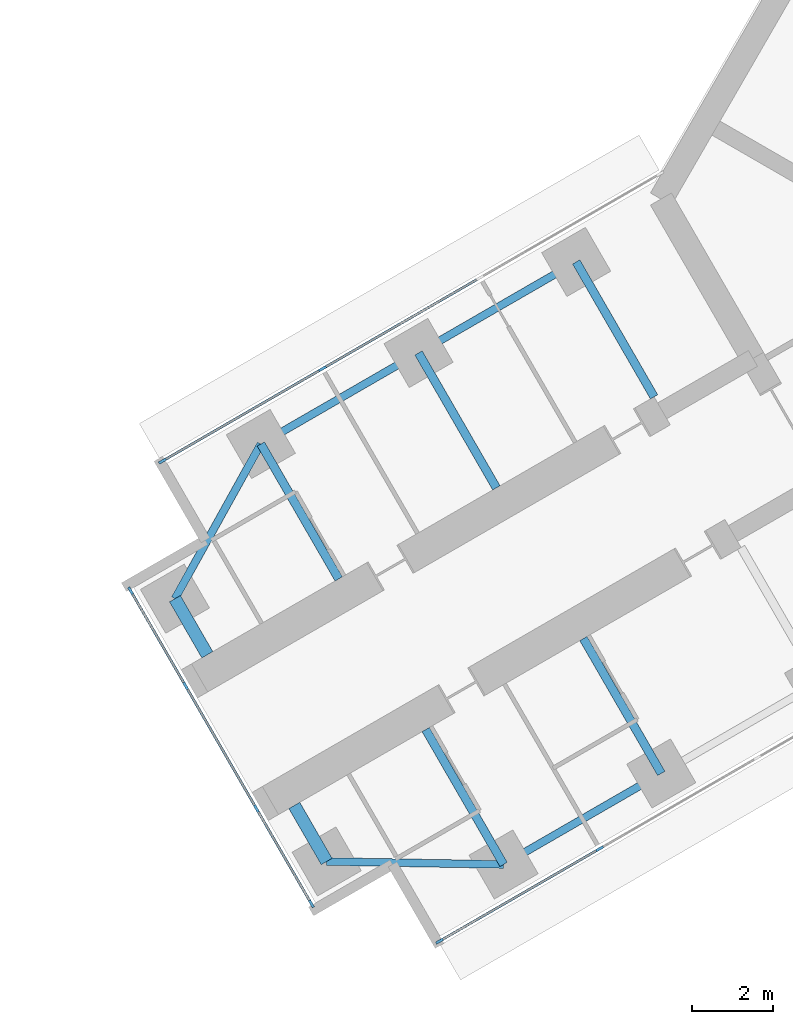
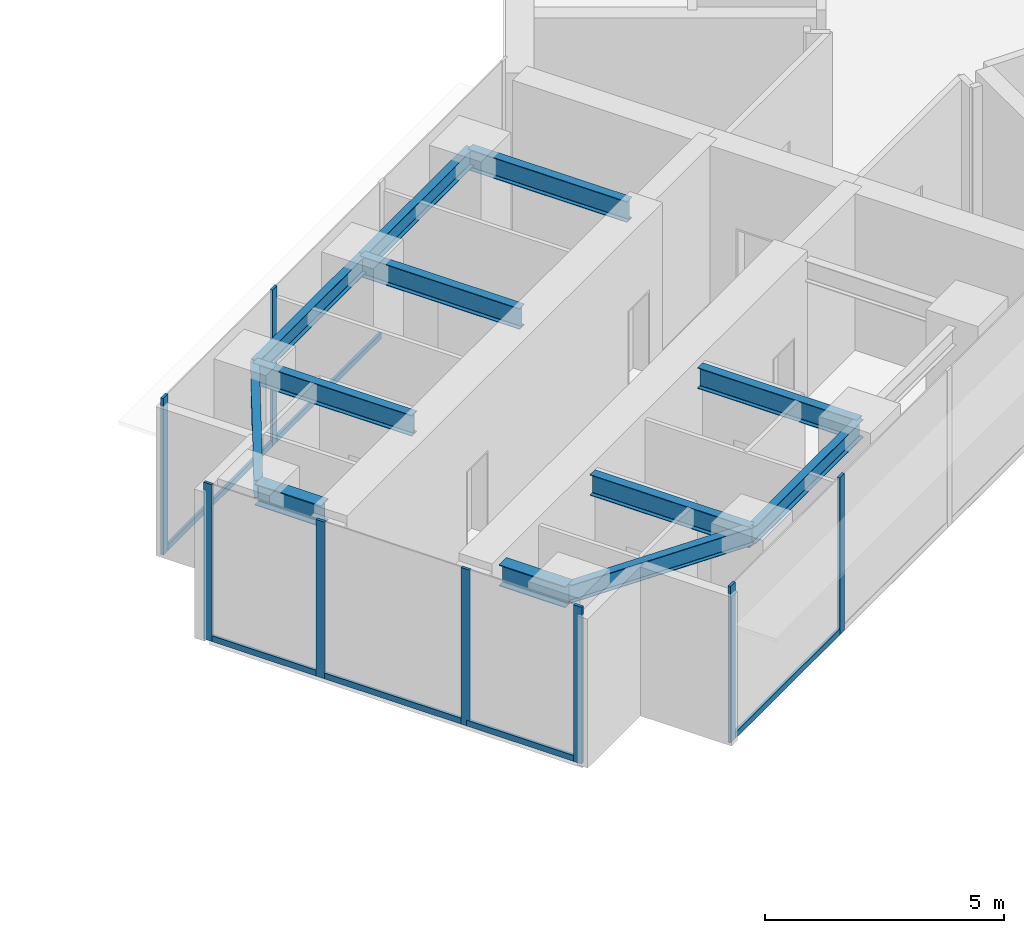
# One storey, part 3 of 23: 14 members, 12 beams, 3 elements without a shape of their own.
"""IFC4 building model written with IfcOpenShell, lengths in metres."""

from ifc_helpers import new_model, si_unit, direction, frame, origin, origin_2d, place, context, subcontext, project, spatial, rectangle, i_section, extrude, material, material_profile, profile_set, type_object, element, aggregate, save


model = new_model("IFC4")

# Units and contexts
model_context = context("Model", 3, precision=1e-05, world=origin(), true_north=direction((0.0, 1.0)))
body_context = subcontext(model_context, "Body", "Model", "MODEL_VIEW")
ifc_project = project(units=[si_unit("LENGTHUNIT", "METRE"), si_unit("AREAUNIT", "SQUARE_METRE"), si_unit("VOLUMEUNIT", "CUBIC_METRE"), si_unit("PLANEANGLEUNIT", "RADIAN"), si_unit("MASSUNIT", "GRAM", prefix="KILO")], contexts=[model_context])

# Site, building, storey
site_placement = place(None, origin())
site = spatial("IfcSite", under=ifc_project, at=site_placement, CompositionType="ELEMENT")
building_placement = place(site_placement, origin())
building = spatial("IfcBuilding", under=site, at=building_placement, Name="Upepo Twin Towers", CompositionType="ELEMENT")
storey_placement = place(building_placement, frame((0.0, 0.0, 149.5)))
storey = spatial("IfcBuildingStorey", under=building, at=storey_placement, Name="L36", CompositionType="ELEMENT", Elevation=149.5)

# Beams
ifc_material_1 = material(Name="Steel S355", Category="steel")
ifc_material_profile_1 = material_profile(ifc_material_1, i_section(OverallWidth=0.1904296875, OverallDepth=0.45703125, WebThickness=0.009033203125, FlangeThickness=0.014404296875, FilletRadius=0.01025390625, at=origin_2d()), Name="UB 457x191x74")
ifc_profile_set_1 = profile_set([ifc_material_profile_1], Name="Steel S355")
beam_type_1 = type_object("IfcBeamType", Name="Beam UB 457x191x74", PredefinedType="BEAM", material=ifc_profile_set_1)
beam_1_placement = place(storey_placement, frame((45.91162109375, -32.196044921875, 3.571533203125), z_axis=(-0.866031096941, -0.499990139034, 0.0), x_axis=(0.499990139034, -0.866031096941, 0.0)))
element("IfcBeam", 1, at=beam_1_placement, inside=storey, type_object=beam_type_1, Name="T2 edge beam BL 18.0-22.5", PredefinedType="BEAM", context=body_context, shape_type="SweptSolid", body=[
    extrude(i_section(OverallWidth=0.1904296875, OverallDepth=0.45703125, WebThickness=0.009033203125, FlangeThickness=0.014404296875, FilletRadius=0.01025390625, at=origin_2d()), origin(), (0.0, 0.0, 1.0), 4.5),
])
beam_2_placement = place(storey_placement, frame((42.014404296875, -34.446044921875, 3.571533203125), z_axis=(-0.999858804832, 0.016803880528, 0.0), x_axis=(-0.016803880528, -0.999858804832, 0.0)))
element("IfcBeam", 2, at=beam_2_placement, inside=storey, type_object=beam_type_1, Name="T2 nose edge beam BL", PredefinedType="BEAM", context=body_context, shape_type="SweptSolid", body=[
    extrude(i_section(OverallWidth=0.1904296875, OverallDepth=0.45703125, WebThickness=0.009033203125, FlangeThickness=0.014404296875, FilletRadius=0.01025390625, at=origin_2d()), origin(), (0.0, 0.0, 1.0), 4.373291015625),
])
beam_3_placement = place(storey_placement, frame((43.80859375, -19.553955078125, 3.571533203125), z_axis=(-0.866017533419, -0.500013631625, 0.0), x_axis=(0.500013631625, -0.866017533419, 0.0)))
element("IfcBeam", 3, at=beam_3_placement, inside=storey, type_object=beam_type_1, Name="T2 edge beam BR 13.5-18.0", PredefinedType="BEAM", context=body_context, shape_type="SweptSolid", body=[
    extrude(i_section(OverallWidth=0.1904296875, OverallDepth=0.45703125, WebThickness=0.009033203125, FlangeThickness=0.014404296875, FilletRadius=0.01025390625, at=origin_2d()), origin(), (0.0, 0.0, 1.0), 4.499755859375),
])
beam_4_placement = place(storey_placement, frame((39.91162109375, -21.803955078125, 3.571533203125), z_axis=(-0.866031096941, -0.499990139034, 0.0), x_axis=(0.499990139034, -0.866031096941, 0.0)))
element("IfcBeam", 4, at=beam_4_placement, inside=storey, type_object=beam_type_1, Name="T2 edge beam BR 18.0-22.5", PredefinedType="BEAM", context=body_context, shape_type="SweptSolid", body=[
    extrude(i_section(OverallWidth=0.1904296875, OverallDepth=0.45703125, WebThickness=0.009033203125, FlangeThickness=0.014404296875, FilletRadius=0.01025390625, at=origin_2d()), origin(), (0.0, 0.0, 1.0), 4.5),
])
beam_5_placement = place(storey_placement, frame((36.014404296875, -24.053955078125, 3.571533203125), z_axis=(-0.485363242752, -0.874312600038, 0.0), x_axis=(0.874312600038, -0.485363242752, 0.0)))
element("IfcBeam", 5, at=beam_5_placement, inside=storey, type_object=beam_type_1, Name="T2 nose edge beam BR", PredefinedType="BEAM", context=body_context, shape_type="SweptSolid", body=[
    extrude(i_section(OverallWidth=0.1904296875, OverallDepth=0.45703125, WebThickness=0.009033203125, FlangeThickness=0.014404296875, FilletRadius=0.01025390625, at=origin_2d()), origin(), (0.0, 0.0, 1.0), 4.373046875),
])
ifc_material_2 = material(Name="Steel S355", Category="steel")
ifc_material_profile_2 = material_profile(ifc_material_2, i_section(OverallWidth=0.209228515625, OverallDepth=0.533203125, WebThickness=0.010009765625, FlangeThickness=0.015625, FilletRadius=0.0126953125, at=origin_2d()), Name="UB 533x210x92")
ifc_profile_set_2 = profile_set([ifc_material_profile_2], Name="Steel S355")
beam_type_2 = type_object("IfcBeamType", Name="Beam UB 533x210x92", PredefinedType="BEAM", material=ifc_profile_set_2)
for number, where, z_axis, x_axis, name in (
    (6, (45.91162109375, -32.196044921875, 3.533447265625), (-0.500033517596, 0.866006051527, 0.0), (-0.866006051527, -0.500033517596, 0.0), "T2 girder BL at 18.0"),
    (7, (42.014404296875, -34.446044921875, 3.533447265625), (-0.500033517596, 0.866006051527, 0.0), (-0.866006051527, -0.500033517596, 0.0), "T2 girder BL at 22.5"),
    (8, (43.80859375, -19.553955078125, 3.533447265625), (0.500033517596, -0.866006051527, 0.0), (0.866006051527, 0.500033517596, 0.0), "T2 girder BR at 13.5"),
):
    element("IfcBeam", number, at=place(storey_placement, frame(where, z_axis=z_axis, x_axis=x_axis)), inside=storey, type_object=beam_type_2, Name=name, PredefinedType="BEAM", context=body_context, shape_type="SweptSolid", body=[
        extrude(i_section(OverallWidth=0.209228515625, OverallDepth=0.533203125, WebThickness=0.010009765625, FlangeThickness=0.015625, FilletRadius=0.0126953125, at=origin_2d()), origin(), (0.0, 0.0, 1.0), 3.849853515625),
    ])
beam_6_placement = place(storey_placement, frame((39.91162109375, -21.803955078125, 3.533447265625), z_axis=(0.499985955615, -0.866033512162, 0.0), x_axis=(0.866033512162, 0.499985955615, 0.0)))
element("IfcBeam", 9, at=beam_6_placement, inside=storey, type_object=beam_type_2, Name="T2 girder BR at 18.0", PredefinedType="BEAM", context=body_context, shape_type="SweptSolid", body=[
    extrude(i_section(OverallWidth=0.209228515625, OverallDepth=0.533203125, WebThickness=0.010009765625, FlangeThickness=0.015625, FilletRadius=0.0126953125, at=origin_2d()), origin(), (0.0, 0.0, 1.0), 3.849609375),
])
beam_7_placement = place(storey_placement, frame((36.014404296875, -24.053955078125, 3.533447265625), z_axis=(0.500033517596, -0.866006051527, 0.0), x_axis=(0.866006051527, 0.500033517596, 0.0)))
element("IfcBeam", 10, at=beam_7_placement, inside=storey, type_object=beam_type_2, Name="T2 girder BR at 22.5", PredefinedType="BEAM", context=body_context, shape_type="SweptSolid", body=[
    extrude(i_section(OverallWidth=0.209228515625, OverallDepth=0.533203125, WebThickness=0.010009765625, FlangeThickness=0.015625, FilletRadius=0.0126953125, at=origin_2d()), origin(), (0.0, 0.0, 1.0), 3.849853515625),
])
ifc_material_3 = material(Name="Steel S355", Category="steel")
ifc_material_profile_3 = material_profile(ifc_material_3, i_section(OverallWidth=0.31201171875, OverallDepth=0.54345703125, WebThickness=0.0126953125, FlangeThickness=0.020263671875, FilletRadius=0.0126953125, at=origin_2d()), Name="UB 533x312x150")
ifc_profile_set_3 = profile_set([ifc_material_profile_3], Name="Steel S355")
beam_type_3 = type_object("IfcBeamType", Name="Beam UB 533x312x150", PredefinedType="BEAM", material=ifc_profile_set_3)
for number, where, z_axis, x_axis, name in (
    (11, (37.641845703125, -34.37255859375, 3.5283203125), (-0.500061482766, 0.865989903783, 0.0), (-0.865989903783, -0.500061482766, 0.0), "T2 nose beam BL"),
    (12, (33.891845703125, -27.87744140625, 3.5283203125), (0.500061482766, -0.865989903783, 0.0), (0.865989903783, 0.500061482766, 0.0), "T2 nose beam BR"),
):
    element("IfcBeam", number, at=place(storey_placement, frame(where, z_axis=z_axis, x_axis=x_axis)), inside=storey, type_object=beam_type_3, Name=name, PredefinedType="BEAM", context=body_context, shape_type="SweptSolid", body=[
        extrude(i_section(OverallWidth=0.31201171875, OverallDepth=0.54345703125, WebThickness=0.0126953125, FlangeThickness=0.020263671875, FilletRadius=0.0126953125, at=origin_2d()), origin(), (0.0, 0.0, 1.0), 1.599853515625),
    ])

# Curtain wall, members
ifc_material_4 = material(Name="Aluminium and fritted glass", Category="aluminium")
curtain_wall_type = type_object("IfcCurtainWallType", Name="Tower curtain wall TW2, fritted glass", PredefinedType="NOTDEFINED", material=ifc_material_4)
curtain_wall_1_placement = place(storey_placement, origin())
curtain_wall_1 = element("IfcCurtainWall", 13, at=curtain_wall_1_placement, inside=storey, type_object=curtain_wall_type, Name="T2 L36 wing B flank L curtain wall", PredefinedType="NOTDEFINED")
ifc_material_5 = material(Name="Aluminium mullion", Category="aluminium")
ifc_material_profile_4 = material_profile(ifc_material_5, rectangle(XDim=0.06494140625, YDim=0.199951171875, at=origin_2d()), Name="MULLION 65x200")
ifc_profile_set_4 = profile_set([ifc_material_profile_4], Name="Aluminium mullion")
member_type_1 = type_object("IfcMemberType", Name="Mullion 65x200 TW2", PredefinedType="MULLION", material=ifc_profile_set_4)
member_1_placement = place(storey_placement, frame((44.387939453125, -34.057373046875, 0.0), z_axis=(0.0, 0.0, 1.0), x_axis=(0.500000010308, -0.866025397833, 0.0)))
member_1 = element("IfcMember", 14, at=member_1_placement, type_object=member_type_1, Name="T2 L36 wing B flank L curtain wall mullion 3", PredefinedType="MULLION", context=body_context, shape_type="SweptSolid", body=[
    extrude(rectangle(XDim=0.06494140625, YDim=0.199951171875, at=origin_2d()), origin(), (0.0, 0.0, 1.0), 4.0),
])
member_2_placement = place(storey_placement, frame((40.432373046875, -36.341064453125, 0.0), z_axis=(0.0, 0.0, 1.0), x_axis=(0.500000010308, -0.866025397833, 0.0)))
member_2 = element("IfcMember", 15, at=member_2_placement, type_object=member_type_1, Name="T2 L36 wing B flank L curtain wall mullion 4", PredefinedType="MULLION", context=body_context, shape_type="SweptSolid", body=[
    extrude(rectangle(XDim=0.06494140625, YDim=0.199951171875, at=origin_2d()), origin(), (0.0, 0.0, 1.0), 4.0),
])

curtain_wall_2_placement = place(storey_placement, origin())
curtain_wall_2 = element("IfcCurtainWall", 16, at=curtain_wall_2_placement, inside=storey, type_object=curtain_wall_type, Name="T2 L36 wing B flank R curtain wall", PredefinedType="NOTDEFINED")
member_3_placement = place(storey_placement, frame((33.58251953125, -24.4765625, 0.0), z_axis=(0.0, 0.0, 1.0), x_axis=(-0.500000010308, 0.866025397833, 0.0)))
member_3 = element("IfcMember", 17, at=member_3_placement, type_object=member_type_1, Name="T2 L36 wing B flank R curtain wall mullion 1", PredefinedType="MULLION", context=body_context, shape_type="SweptSolid", body=[
    extrude(rectangle(XDim=0.06494140625, YDim=0.199951171875, at=origin_2d()), origin(), (0.0, 0.0, 1.0), 4.0),
])
member_4_placement = place(storey_placement, frame((37.5380859375, -22.192626953125, 0.0), z_axis=(0.0, 0.0, 1.0), x_axis=(-0.500000010308, 0.866025397833, 0.0)))
member_4 = element("IfcMember", 18, at=member_4_placement, type_object=member_type_1, Name="T2 L36 wing B flank R curtain wall mullion 2", PredefinedType="MULLION", context=body_context, shape_type="SweptSolid", body=[
    extrude(rectangle(XDim=0.06494140625, YDim=0.199951171875, at=origin_2d()), origin(), (0.0, 0.0, 1.0), 4.0),
])

curtain_wall_3_placement = place(storey_placement, origin())
curtain_wall_3 = element("IfcCurtainWall", 19, at=curtain_wall_3_placement, inside=storey, type_object=curtain_wall_type, Name="T2 L36 wing B nose curtain wall", PredefinedType="NOTDEFINED")
member_5_placement = place(storey_placement, frame((32.796875, -27.68115234375, 0.0), z_axis=(0.0, 0.0, 1.0), x_axis=(0.866025386174, 0.500000030502, 0.0)))
member_5 = element("IfcMember", 20, at=member_5_placement, type_object=member_type_1, Name="T2 L36 wing B nose curtain wall mullion 1", PredefinedType="MULLION", context=body_context, shape_type="SweptSolid", body=[
    extrude(rectangle(XDim=0.06494140625, YDim=0.199951171875, at=origin_2d()), origin(), (0.0, 0.0, 1.0), 4.0),
])
member_6_placement = place(storey_placement, frame((34.15576171875, -30.034423828125, 0.0), z_axis=(0.0, 0.0, 1.0), x_axis=(0.866025386174, 0.500000030502, 0.0)))
member_6 = element("IfcMember", 21, at=member_6_placement, type_object=member_type_1, Name="T2 L36 wing B nose curtain wall mullion 2", PredefinedType="MULLION", context=body_context, shape_type="SweptSolid", body=[
    extrude(rectangle(XDim=0.06494140625, YDim=0.199951171875, at=origin_2d()), origin(), (0.0, 0.0, 1.0), 4.0),
])
member_7_placement = place(storey_placement, frame((35.90576171875, -33.0654296875, 0.0), z_axis=(0.0, 0.0, 1.0), x_axis=(0.866025386174, 0.500000030502, 0.0)))
member_7 = element("IfcMember", 22, at=member_7_placement, type_object=member_type_1, Name="T2 L36 wing B nose curtain wall mullion 3", PredefinedType="MULLION", context=body_context, shape_type="SweptSolid", body=[
    extrude(rectangle(XDim=0.06494140625, YDim=0.199951171875, at=origin_2d()), origin(), (0.0, 0.0, 1.0), 4.0),
])
member_8_placement = place(storey_placement, frame((37.264404296875, -35.4189453125, 0.0), z_axis=(0.0, 0.0, 1.0), x_axis=(0.866025386174, 0.500000030502, 0.0)))
member_8 = element("IfcMember", 23, at=member_8_placement, type_object=member_type_1, Name="T2 L36 wing B nose curtain wall mullion 4", PredefinedType="MULLION", context=body_context, shape_type="SweptSolid", body=[
    extrude(rectangle(XDim=0.06494140625, YDim=0.199951171875, at=origin_2d()), origin(), (0.0, 0.0, 1.0), 4.0),
])

# Member
ifc_material_6 = material(Name="Aluminium transom", Category="aluminium")
ifc_material_profile_5 = material_profile(ifc_material_6, rectangle(XDim=0.06494140625, YDim=0.14990234375, at=origin_2d()), Name="TRANSOM 65x150")
ifc_profile_set_5 = profile_set([ifc_material_profile_5], Name="Aluminium transom")
member_type_2 = type_object("IfcMemberType", Name="Transom 65x150 TW2", PredefinedType="USERDEFINED", material=ifc_profile_set_5)
member_9_placement = place(storey_placement, frame((44.35986328125, -34.073486328125, 0.074951171875), z_axis=(-0.866035699072, -0.499982167615, 0.0), x_axis=(0.499982167615, -0.866035699072, 0.0)))
member_9 = element("IfcMember", 24, at=member_9_placement, type_object=member_type_2, Name="T2 L36 wing B flank L curtain wall transom 3", ObjectType="TRANSOM", PredefinedType="USERDEFINED", context=body_context, shape_type="SweptSolid", body=[
    extrude(rectangle(XDim=0.06494140625, YDim=0.14990234375, at=origin_2d()), origin(), (0.0, 0.0, 1.0), 4.502685546875),
])

aggregate(curtain_wall_1, [member_1, member_2, member_9])

member_10_placement = place(storey_placement, frame((33.610595703125, -24.460205078125, 0.074951171875), z_axis=(0.866022143554, 0.500005646842, 0.0), x_axis=(-0.500005646842, 0.866022143554, 0.0)))
member_10 = element("IfcMember", 25, at=member_10_placement, type_object=member_type_2, Name="T2 L36 wing B flank R curtain wall transom 1", ObjectType="TRANSOM", PredefinedType="USERDEFINED", context=body_context, shape_type="SweptSolid", body=[
    extrude(rectangle(XDim=0.06494140625, YDim=0.14990234375, at=origin_2d()), origin(), (0.0, 0.0, 1.0), 4.50244140625),
])

member_11_placement = place(storey_placement, frame((37.566162109375, -22.176513671875, 0.074951171875), z_axis=(0.866022410713, 0.500005184116, 0.0), x_axis=(-0.500005184116, 0.866022410713, 0.0)))
member_11 = element("IfcMember", 26, at=member_11_placement, type_object=member_type_2, Name="T2 L36 wing B flank R curtain wall transom 2", ObjectType="TRANSOM", PredefinedType="USERDEFINED", context=body_context, shape_type="SweptSolid", body=[
    extrude(rectangle(XDim=0.06494140625, YDim=0.14990234375, at=origin_2d()), origin(), (0.0, 0.0, 1.0), 4.43505859375),
])

aggregate(curtain_wall_2, [member_3, member_4, member_10, member_11])

member_12_placement = place(storey_placement, frame((32.813232421875, -27.709228515625, 0.074951171875), z_axis=(0.499980071345, -0.866036909293, 0.0), x_axis=(0.866036909293, 0.499980071345, 0.0)))
member_12 = element("IfcMember", 27, at=member_12_placement, type_object=member_type_2, Name="T2 L36 wing B nose curtain wall transom 1", ObjectType="TRANSOM", PredefinedType="USERDEFINED", context=body_context, shape_type="SweptSolid", body=[
    extrude(rectangle(XDim=0.06494140625, YDim=0.14990234375, at=origin_2d()), origin(), (0.0, 0.0, 1.0), 2.65234375),
])

member_13_placement = place(storey_placement, frame((34.171875, -30.0625, 0.074951171875), z_axis=(0.499999305434, -0.866025804792, 0.0), x_axis=(0.866025804792, 0.499999305434, 0.0)))
member_13 = element("IfcMember", 28, at=member_13_placement, type_object=member_type_2, Name="T2 L36 wing B nose curtain wall transom 2", ObjectType="TRANSOM", PredefinedType="USERDEFINED", context=body_context, shape_type="SweptSolid", body=[
    extrude(rectangle(XDim=0.06494140625, YDim=0.14990234375, at=origin_2d()), origin(), (0.0, 0.0, 1.0), 3.43505859375),
])

member_14_placement = place(storey_placement, frame((35.921875, -33.09375, 0.074951171875), z_axis=(0.500049101008, -0.865997053448, 0.0), x_axis=(0.865997053448, 0.500049101008, 0.0)))
member_14 = element("IfcMember", 29, at=member_14_placement, type_object=member_type_2, Name="T2 L36 wing B nose curtain wall transom 3", ObjectType="TRANSOM", PredefinedType="USERDEFINED", context=body_context, shape_type="SweptSolid", body=[
    extrude(rectangle(XDim=0.06494140625, YDim=0.14990234375, at=origin_2d()), origin(), (0.0, 0.0, 1.0), 2.652587890625),
])

aggregate(curtain_wall_3, [member_5, member_6, member_7, member_8, member_12, member_13, member_14])

save(model, "model.ifc")
